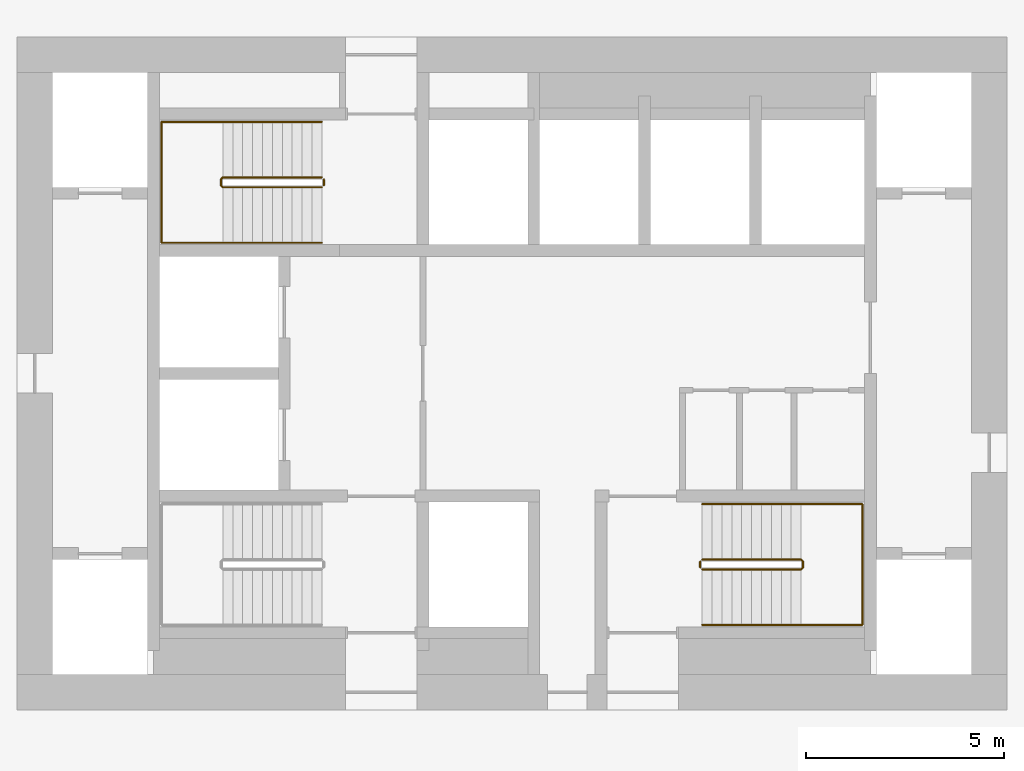
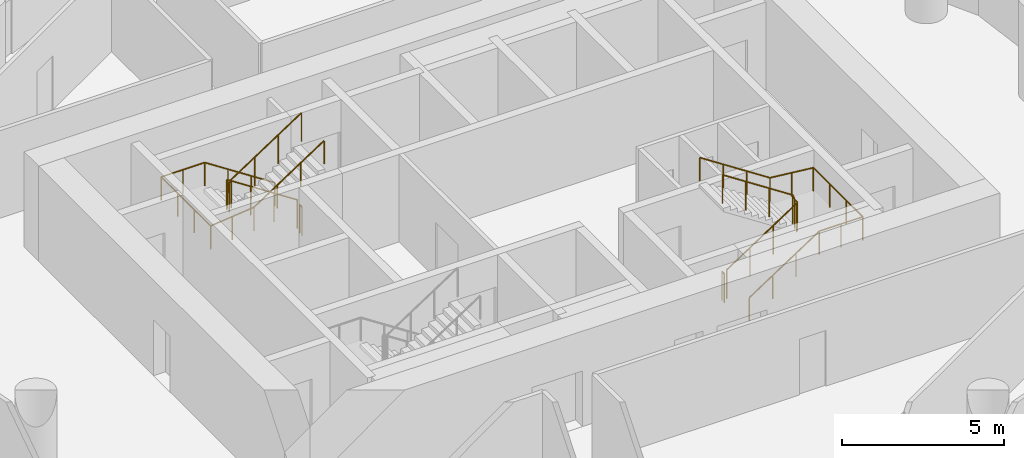
# One storey, part 13 of 13: 6 railings.
"""IFC4 building model written with IfcOpenShell, lengths in metres."""

from ifc_helpers import new_model, si_unit, direction, frame, origin, origin_2d, place, context, subcontext, project, spatial, circle, extrude, material, type_object, element, save


model = new_model("IFC4")

# Units and contexts
model_context = context("Model", 3, precision=1e-05, world=origin(), true_north=direction((0.0, 1.0)))
body_context = subcontext(model_context, "Body", "Model", "MODEL_VIEW")
ifc_project = project(units=[si_unit("LENGTHUNIT", "METRE"), si_unit("AREAUNIT", "SQUARE_METRE"), si_unit("VOLUMEUNIT", "CUBIC_METRE"), si_unit("PLANEANGLEUNIT", "RADIAN"), si_unit("MASSUNIT", "GRAM", prefix="KILO")], contexts=[model_context])

# Site, building, storey
site_placement = place(None, origin())
site = spatial("IfcSite", under=ifc_project, at=site_placement, CompositionType="ELEMENT")
building_placement = place(site_placement, origin())
building = spatial("IfcBuilding", under=site, at=building_placement, Name="Tracery Tower", CompositionType="ELEMENT")
storey_placement = place(building_placement, frame((0.0, 0.0, 126.0)))
storey = spatial("IfcBuildingStorey", under=building, at=storey_placement, Name="L31", CompositionType="ELEMENT", Elevation=126.0)

# Railings
ifc_material_1 = material(Name="Stainless steel and laminated glass", Category="steel")
railing_type_1 = type_object("IfcRailingType", Name="Stair guard 1100", PredefinedType="GUARDRAIL", material=ifc_material_1)
railing_1_placement = place(storey_placement, frame((-4.800048828125, 4.949951171875, 0.16357421875)))
element("IfcRailing", 1, at=railing_1_placement, inside=storey, type_object=railing_type_1, Name="L31 stair ST3 guard 1", PredefinedType="GUARDRAIL", context=body_context, shape_type="SweptSolid", body=[
    extrude(circle(Radius=0.02392578125, at=origin_2d()), frame((0.0, 0.0, 1.076171875), z_axis=(-0.83668449804, 0.0, 0.54768517484), x_axis=(0.0, -1.0, 0.0)), (0.0, 0.0, 1.0), 2.988037109375),
    extrude(circle(Radius=0.02392578125, at=origin_2d()), frame((-2.5, 0.0, 2.71240234375), z_axis=(-0.707106781187, -0.707106781187, 0.0), x_axis=(0.707106781187, -0.707106781187, 0.0)), (0.0, 0.0, 1.0), 0.07080078125),
    extrude(circle(Radius=0.02392578125, at=origin_2d()), frame((-2.550048828125, -0.050048828125, 2.71240234375), z_axis=(0.0, -1.0, 0.0), x_axis=(1.0, 0.0, 0.0)), (0.0, 0.0, 1.0), 0.14990234375),
    extrude(circle(Radius=0.02392578125, at=origin_2d()), frame((-2.550048828125, -0.199951171875, 2.71240234375), z_axis=(0.280808744504, -0.280808744504, 0.917765164963), x_axis=(0.707106781187, 0.707106781187, 0.0)), (0.0, 0.0, 1.0), 0.17822265625),
    extrude(circle(Radius=0.02392578125, at=origin_2d()), frame((-2.5, -0.25, 2.8759765625), z_axis=(0.83668449804, 0.0, 0.54768517484), x_axis=(0.0, 1.0, 0.0)), (0.0, 0.0, 1.0), 2.988037109375),
    extrude(circle(Radius=0.02099609375, at=origin_2d()), origin(), (0.0, 0.0, 1.0), 1.052001953125),
    extrude(circle(Radius=0.02099609375, at=origin_2d()), frame((-0.833251953125, 0.0, 0.54541015625)), (0.0, 0.0, 1.0), 1.052001953125),
    extrude(circle(Radius=0.02099609375, at=origin_2d()), frame((-1.666748046875, 0.0, 1.091064453125)), (0.0, 0.0, 1.0), 1.052001953125),
    extrude(circle(Radius=0.02099609375, at=origin_2d()), frame((-2.5, 0.0, 1.636474609375)), (0.0, 0.0, 1.0), 1.052001953125),
    extrude(circle(Radius=0.02099609375, at=origin_2d()), frame((-2.550048828125, -0.050048828125, 1.636474609375)), (0.0, 0.0, 1.0), 1.052001953125),
    extrude(circle(Radius=0.02099609375, at=origin_2d()), frame((-2.550048828125, -0.199951171875, 1.636474609375)), (0.0, 0.0, 1.0), 1.052001953125),
    extrude(circle(Radius=0.02099609375, at=origin_2d()), frame((-2.5, -0.25, 1.800048828125)), (0.0, 0.0, 1.0), 1.052001953125),
    extrude(circle(Radius=0.02099609375, at=origin_2d()), frame((-1.666748046875, -0.25, 2.345458984375)), (0.0, 0.0, 1.0), 1.052001953125),
    extrude(circle(Radius=0.02099609375, at=origin_2d()), frame((-0.833251953125, -0.25, 2.89111328125)), (0.0, 0.0, 1.0), 1.052001953125),
    extrude(circle(Radius=0.02099609375, at=origin_2d()), frame((0.0, -0.25, 3.4365234375)), (0.0, 0.0, 1.0), 1.052001953125),
])
railing_2_placement = place(storey_placement, frame((-4.75, 4.89990234375, 0.0)))
element("IfcRailing", 2, at=railing_2_placement, inside=storey, type_object=railing_type_1, Name="L31 stair ST3 guard 2", PredefinedType="GUARDRAIL", context=body_context, shape_type="SweptSolid", body=[
    extrude(circle(Radius=0.02392578125, at=origin_2d()), frame((0.0, 0.0, 1.076171875), z_axis=(0.0, -1.0, 0.0), x_axis=(1.0, 0.0, 0.0)), (0.0, 0.0, 1.0), 0.14990234375),
    extrude(circle(Radius=0.02099609375, at=origin_2d()), origin(), (0.0, 0.0, 1.0), 1.052001953125),
    extrude(circle(Radius=0.02099609375, at=origin_2d()), frame((0.0, -0.14990234375, 0.0)), (0.0, 0.0, 1.0), 1.052001953125),
])
railing_3_placement = place(storey_placement, frame((4.800048828125, -4.949951171875, 0.16357421875)))
element("IfcRailing", 3, at=railing_3_placement, inside=storey, type_object=railing_type_1, Name="L31 stair ST2 guard 1", PredefinedType="GUARDRAIL", context=body_context, shape_type="SweptSolid", body=[
    extrude(circle(Radius=0.02392578125, at=origin_2d()), frame((0.0, 0.0, 1.076171875), z_axis=(0.83668449804, 0.0, 0.54768517484), x_axis=(0.0, 1.0, 0.0)), (0.0, 0.0, 1.0), 2.988037109375),
    extrude(circle(Radius=0.02392578125, at=origin_2d()), frame((2.5, 0.0, 2.71240234375), z_axis=(0.707106781187, 0.707106781187, 0.0), x_axis=(-0.707106781187, 0.707106781187, 0.0)), (0.0, 0.0, 1.0), 0.07080078125),
    extrude(circle(Radius=0.02392578125, at=origin_2d()), frame((2.550048828125, 0.050048828125, 2.71240234375), z_axis=(0.0, 1.0, 0.0), x_axis=(-1.0, 0.0, 0.0)), (0.0, 0.0, 1.0), 0.14990234375),
    extrude(circle(Radius=0.02392578125, at=origin_2d()), frame((2.550048828125, 0.199951171875, 2.71240234375), z_axis=(-0.280808744504, 0.280808744504, 0.917765164963), x_axis=(-0.707106781187, -0.707106781187, 0.0)), (0.0, 0.0, 1.0), 0.17822265625),
    extrude(circle(Radius=0.02392578125, at=origin_2d()), frame((2.5, 0.25, 2.8759765625), z_axis=(-0.83668449804, 0.0, 0.54768517484), x_axis=(0.0, -1.0, 0.0)), (0.0, 0.0, 1.0), 2.988037109375),
    extrude(circle(Radius=0.02099609375, at=origin_2d()), origin(), (0.0, 0.0, 1.0), 1.052001953125),
    extrude(circle(Radius=0.02099609375, at=origin_2d()), frame((0.833251953125, 0.0, 0.54541015625)), (0.0, 0.0, 1.0), 1.052001953125),
    extrude(circle(Radius=0.02099609375, at=origin_2d()), frame((1.666748046875, 0.0, 1.091064453125)), (0.0, 0.0, 1.0), 1.052001953125),
    extrude(circle(Radius=0.02099609375, at=origin_2d()), frame((2.5, 0.0, 1.636474609375)), (0.0, 0.0, 1.0), 1.052001953125),
    extrude(circle(Radius=0.02099609375, at=origin_2d()), frame((2.550048828125, 0.050048828125, 1.636474609375)), (0.0, 0.0, 1.0), 1.052001953125),
    extrude(circle(Radius=0.02099609375, at=origin_2d()), frame((2.550048828125, 0.199951171875, 1.636474609375)), (0.0, 0.0, 1.0), 1.052001953125),
    extrude(circle(Radius=0.02099609375, at=origin_2d()), frame((2.5, 0.25, 1.800048828125)), (0.0, 0.0, 1.0), 1.052001953125),
    extrude(circle(Radius=0.02099609375, at=origin_2d()), frame((1.666748046875, 0.25, 2.345458984375)), (0.0, 0.0, 1.0), 1.052001953125),
    extrude(circle(Radius=0.02099609375, at=origin_2d()), frame((0.833251953125, 0.25, 2.89111328125)), (0.0, 0.0, 1.0), 1.052001953125),
    extrude(circle(Radius=0.02099609375, at=origin_2d()), frame((0.0, 0.25, 3.4365234375)), (0.0, 0.0, 1.0), 1.052001953125),
])
railing_4_placement = place(storey_placement, frame((4.75, -4.89990234375, 0.0)))
element("IfcRailing", 4, at=railing_4_placement, inside=storey, type_object=railing_type_1, Name="L31 stair ST2 guard 2", PredefinedType="GUARDRAIL", context=body_context, shape_type="SweptSolid", body=[
    extrude(circle(Radius=0.02392578125, at=origin_2d()), frame((0.0, 0.0, 1.076171875), z_axis=(0.0, 1.0, 0.0), x_axis=(-1.0, 0.0, 0.0)), (0.0, 0.0, 1.0), 0.14990234375),
    extrude(circle(Radius=0.02099609375, at=origin_2d()), origin(), (0.0, 0.0, 1.0), 1.052001953125),
    extrude(circle(Radius=0.02099609375, at=origin_2d()), frame((0.0, 0.14990234375, 0.0)), (0.0, 0.0, 1.0), 1.052001953125),
])
ifc_material_2 = material(Name="Stainless steel and laminated glass", Category="steel")
railing_type_2 = type_object("IfcRailingType", Name="Stair handrail 900", PredefinedType="HANDRAIL", material=ifc_material_2)
railing_5_placement = place(storey_placement, frame((-4.800048828125, 6.35009765625, 0.16357421875)))
element("IfcRailing", 5, at=railing_5_placement, inside=storey, type_object=railing_type_2, Name="L31 stair ST3 handrail 1", PredefinedType="HANDRAIL", context=body_context, shape_type="SweptSolid", body=[
    extrude(circle(Radius=0.02392578125, at=origin_2d()), frame((0.0, 0.0, 0.8759765625), z_axis=(-0.83668449804, 0.0, 0.54768517484), x_axis=(0.0, -1.0, 0.0)), (0.0, 0.0, 1.0), 2.988037109375),
    extrude(circle(Radius=0.02392578125, at=origin_2d()), frame((-2.5, 0.0, 2.51220703125), z_axis=(-1.0, 0.0, 0.0), x_axis=(0.0, -1.0, 0.0)), (0.0, 0.0, 1.0), 1.550048828125),
    extrude(circle(Radius=0.02392578125, at=origin_2d()), frame((-4.050048828125, 0.0, 2.51220703125), z_axis=(0.0, -1.0, 0.0), x_axis=(1.0, 0.0, 0.0)), (0.0, 0.0, 1.0), 3.050048828125),
    extrude(circle(Radius=0.02392578125, at=origin_2d()), frame((-4.050048828125, -3.050048828125, 2.51220703125), z_axis=(0.994477953863, 0.0, 0.104945696817), x_axis=(0.0, 1.0, 0.0)), (0.0, 0.0, 1.0), 1.55859375),
    extrude(circle(Radius=0.02392578125, at=origin_2d()), frame((-2.5, -3.050048828125, 2.67578125), z_axis=(0.83668449804, 0.0, 0.54768517484), x_axis=(0.0, 1.0, 0.0)), (0.0, 0.0, 1.0), 2.988037109375),
    extrude(circle(Radius=0.02099609375, at=origin_2d()), origin(), (0.0, 0.0, 1.0), 0.851806640625),
    extrude(circle(Radius=0.02099609375, at=origin_2d()), frame((-0.833251953125, 0.0, 0.54541015625)), (0.0, 0.0, 1.0), 0.851806640625),
    extrude(circle(Radius=0.02099609375, at=origin_2d()), frame((-1.666748046875, 0.0, 1.091064453125)), (0.0, 0.0, 1.0), 0.851806640625),
    extrude(circle(Radius=0.02099609375, at=origin_2d()), frame((-2.5, 0.0, 1.636474609375)), (0.0, 0.0, 1.0), 0.851806640625),
    extrude(circle(Radius=0.02099609375, at=origin_2d()), frame((-3.27490234375, 0.0, 1.636474609375)), (0.0, 0.0, 1.0), 0.851806640625),
    extrude(circle(Radius=0.02099609375, at=origin_2d()), frame((-4.050048828125, 0.0, 1.636474609375)), (0.0, 0.0, 1.0), 0.851806640625),
    extrude(circle(Radius=0.02099609375, at=origin_2d()), frame((-4.050048828125, -1.0166015625, 1.636474609375)), (0.0, 0.0, 1.0), 0.851806640625),
    extrude(circle(Radius=0.02099609375, at=origin_2d()), frame((-4.050048828125, -2.033447265625, 1.636474609375)), (0.0, 0.0, 1.0), 0.851806640625),
    extrude(circle(Radius=0.02099609375, at=origin_2d()), frame((-4.050048828125, -3.050048828125, 1.636474609375)), (0.0, 0.0, 1.0), 0.851806640625),
    extrude(circle(Radius=0.02099609375, at=origin_2d()), frame((-3.27490234375, -3.050048828125, 1.71826171875)), (0.0, 0.0, 1.0), 0.851806640625),
    extrude(circle(Radius=0.02099609375, at=origin_2d()), frame((-2.5, -3.050048828125, 1.800048828125)), (0.0, 0.0, 1.0), 0.851806640625),
    extrude(circle(Radius=0.02099609375, at=origin_2d()), frame((-1.666748046875, -3.050048828125, 2.345458984375)), (0.0, 0.0, 1.0), 0.851806640625),
    extrude(circle(Radius=0.02099609375, at=origin_2d()), frame((-0.833251953125, -3.050048828125, 2.89111328125)), (0.0, 0.0, 1.0), 0.851806640625),
    extrude(circle(Radius=0.02099609375, at=origin_2d()), frame((0.0, -3.050048828125, 3.4365234375)), (0.0, 0.0, 1.0), 0.851806640625),
])
railing_6_placement = place(storey_placement, frame((4.800048828125, -6.35009765625, 0.16357421875)))
element("IfcRailing", 6, at=railing_6_placement, inside=storey, type_object=railing_type_2, Name="L31 stair ST2 handrail 1", PredefinedType="HANDRAIL", context=body_context, shape_type="SweptSolid", body=[
    extrude(circle(Radius=0.02392578125, at=origin_2d()), frame((0.0, 0.0, 0.8759765625), z_axis=(0.83668449804, 0.0, 0.54768517484), x_axis=(0.0, 1.0, 0.0)), (0.0, 0.0, 1.0), 2.988037109375),
    extrude(circle(Radius=0.02392578125, at=origin_2d()), frame((2.5, 0.0, 2.51220703125), z_axis=(1.0, 0.0, 0.0), x_axis=(0.0, 1.0, 0.0)), (0.0, 0.0, 1.0), 1.550048828125),
    extrude(circle(Radius=0.02392578125, at=origin_2d()), frame((4.050048828125, 0.0, 2.51220703125), z_axis=(0.0, 1.0, 0.0), x_axis=(-1.0, 0.0, 0.0)), (0.0, 0.0, 1.0), 3.050048828125),
    extrude(circle(Radius=0.02392578125, at=origin_2d()), frame((4.050048828125, 3.050048828125, 2.51220703125), z_axis=(-0.994477953863, 0.0, 0.104945696817), x_axis=(0.0, -1.0, 0.0)), (0.0, 0.0, 1.0), 1.55859375),
    extrude(circle(Radius=0.02392578125, at=origin_2d()), frame((2.5, 3.050048828125, 2.67578125), z_axis=(-0.83668449804, 0.0, 0.54768517484), x_axis=(0.0, -1.0, 0.0)), (0.0, 0.0, 1.0), 2.988037109375),
    extrude(circle(Radius=0.02099609375, at=origin_2d()), origin(), (0.0, 0.0, 1.0), 0.851806640625),
    extrude(circle(Radius=0.02099609375, at=origin_2d()), frame((0.833251953125, 0.0, 0.54541015625)), (0.0, 0.0, 1.0), 0.851806640625),
    extrude(circle(Radius=0.02099609375, at=origin_2d()), frame((1.666748046875, 0.0, 1.091064453125)), (0.0, 0.0, 1.0), 0.851806640625),
    extrude(circle(Radius=0.02099609375, at=origin_2d()), frame((2.5, 0.0, 1.636474609375)), (0.0, 0.0, 1.0), 0.851806640625),
    extrude(circle(Radius=0.02099609375, at=origin_2d()), frame((3.27490234375, 0.0, 1.636474609375)), (0.0, 0.0, 1.0), 0.851806640625),
    extrude(circle(Radius=0.02099609375, at=origin_2d()), frame((4.050048828125, 0.0, 1.636474609375)), (0.0, 0.0, 1.0), 0.851806640625),
    extrude(circle(Radius=0.02099609375, at=origin_2d()), frame((4.050048828125, 1.0166015625, 1.636474609375)), (0.0, 0.0, 1.0), 0.851806640625),
    extrude(circle(Radius=0.02099609375, at=origin_2d()), frame((4.050048828125, 2.033447265625, 1.636474609375)), (0.0, 0.0, 1.0), 0.851806640625),
    extrude(circle(Radius=0.02099609375, at=origin_2d()), frame((4.050048828125, 3.050048828125, 1.636474609375)), (0.0, 0.0, 1.0), 0.851806640625),
    extrude(circle(Radius=0.02099609375, at=origin_2d()), frame((3.27490234375, 3.050048828125, 1.71826171875)), (0.0, 0.0, 1.0), 0.851806640625),
    extrude(circle(Radius=0.02099609375, at=origin_2d()), frame((2.5, 3.050048828125, 1.800048828125)), (0.0, 0.0, 1.0), 0.851806640625),
    extrude(circle(Radius=0.02099609375, at=origin_2d()), frame((1.666748046875, 3.050048828125, 2.345458984375)), (0.0, 0.0, 1.0), 0.851806640625),
    extrude(circle(Radius=0.02099609375, at=origin_2d()), frame((0.833251953125, 3.050048828125, 2.89111328125)), (0.0, 0.0, 1.0), 0.851806640625),
    extrude(circle(Radius=0.02099609375, at=origin_2d()), frame((0.0, 3.050048828125, 3.4365234375)), (0.0, 0.0, 1.0), 0.851806640625),
])

save(model, "model.ifc")
